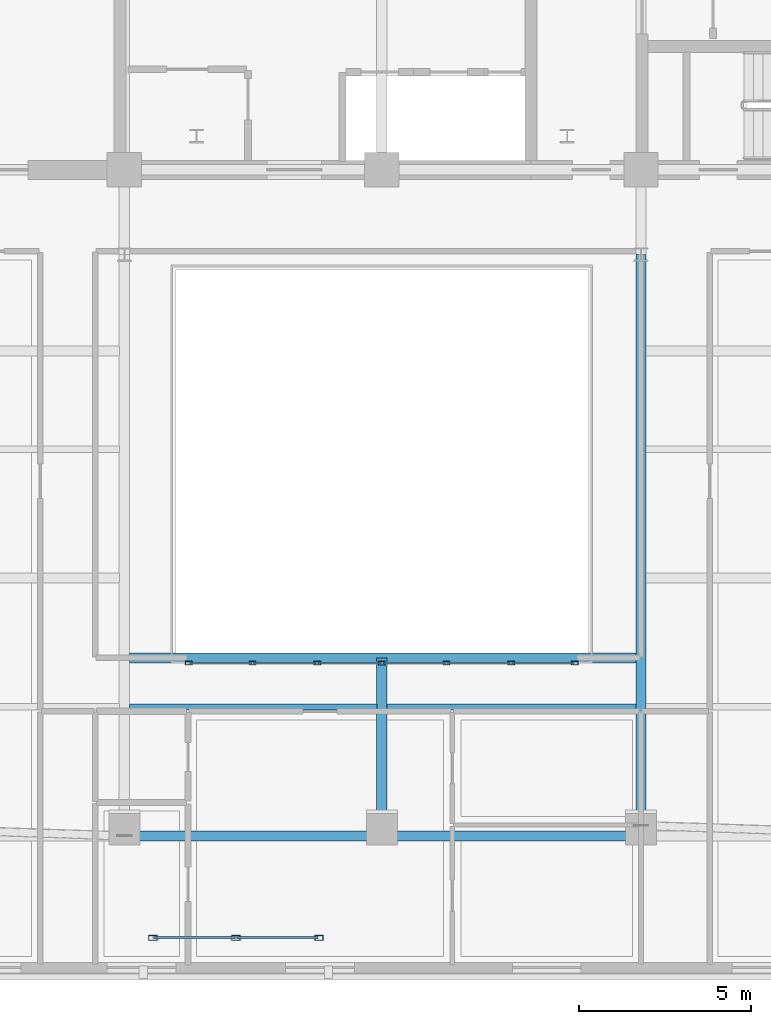
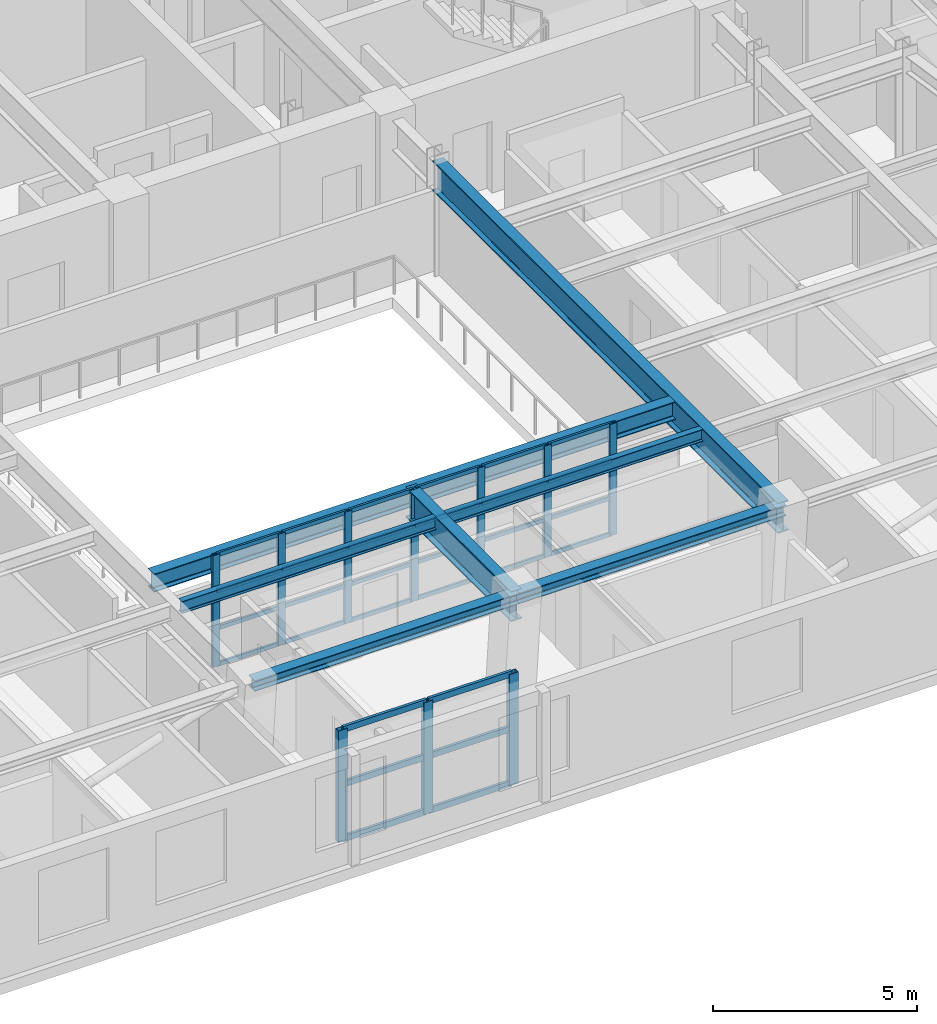
# One storey, part 2 of 14: 40 members, 7 beams, 2 elements without a shape of their own.
"""IFC4 building model written with IfcOpenShell, lengths in metres."""

from ifc_helpers import new_model, si_unit, direction, frame, origin, origin_2d, place, context, subcontext, project, spatial, hollow_rectangle, i_section, extrude, material, layer, layer_set, material_profile, profile_set, type_object, element, aggregate, save


model = new_model("IFC4")

# Units and contexts
model_context = context("Model", 3, precision=1e-05, world=origin(), true_north=direction((0.0, 1.0)))
body_context = subcontext(model_context, "Body", "Model", "MODEL_VIEW")
ifc_project = project(units=[si_unit("LENGTHUNIT", "METRE"), si_unit("AREAUNIT", "SQUARE_METRE"), si_unit("VOLUMEUNIT", "CUBIC_METRE"), si_unit("PLANEANGLEUNIT", "RADIAN"), si_unit("MASSUNIT", "GRAM", prefix="KILO")], contexts=[model_context])

# Site, building, storey
site_placement = place(None, origin())
site = spatial("IfcSite", under=ifc_project, at=site_placement, CompositionType="ELEMENT")
building_placement = place(site_placement, origin())
building = spatial("IfcBuilding", under=site, at=building_placement, Name="Zarnavel Station Tower", CompositionType="ELEMENT")
storey_placement = place(building_placement, frame((0.0, 0.0, 193.199951171875)))
storey = spatial("IfcBuildingStorey", under=building, at=storey_placement, Name="L52", CompositionType="ELEMENT", Elevation=193.199951171875)

# Curtain wall, members
ifc_material_1 = material(Name="Aluminium Dark Anodised and Solar-Control Glass", Category="aluminium")
ifc_layer_1 = layer(ifc_material_1, 0.179931640625)
ifc_layer_set_1 = layer_set([ifc_layer_1], Name="CWS5")
curtain_wall_type_1 = type_object("IfcCurtainWallType", Name="CWS5", PredefinedType="NOTDEFINED", material=ifc_layer_set_1)
curtain_wall_1_placement = place(storey_placement, origin())
curtain_wall_1 = element("IfcCurtainWall", 1, at=curtain_wall_1_placement, inside=storey, type_object=curtain_wall_type_1, Name="L52 Curtain Wall CWS5-L52-AS", PredefinedType="NOTDEFINED")
ifc_material_2 = material(Name="Steel S355J2 (Black Fluoropolymer Coated)", Category="steel")
ifc_material_profile_1 = material_profile(ifc_material_2, hollow_rectangle(XDim=0.10009765625, YDim=0.199951171875, WallThickness=0.008056640625, at=origin_2d()), Name="RHS200x100x8")
ifc_profile_set_1 = profile_set([ifc_material_profile_1], Name="Steel S355J2 (Black Fluoropolymer Coated)")
member_type_1 = type_object("IfcMemberType", Name="CWS5_MUL", PredefinedType="MULLION", material=ifc_profile_set_1)
member_1_placement = place(storey_placement, frame((23.179931640625, 13.449951171875, 0.0), z_axis=(0.0, 0.0, 1.0), x_axis=(0.0, 1.0, 0.0)))
member_1 = element("IfcMember", 2, at=member_1_placement, type_object=member_type_1, Name="CW5 mullion 1", PredefinedType="MULLION", context=body_context, shape_type="SweptSolid", body=[
    extrude(hollow_rectangle(XDim=0.10009765625, YDim=0.199951171875, WallThickness=0.008056640625, at=origin_2d()), origin(), (0.0, 0.0, 1.0), 3.340087890625),
])
member_2_placement = place(storey_placement, frame((25.033447265625, 13.449951171875, 0.0), z_axis=(0.0, 0.0, 1.0), x_axis=(0.0, 1.0, 0.0)))
member_2 = element("IfcMember", 3, at=member_2_placement, type_object=member_type_1, Name="CW5 mullion 2", PredefinedType="MULLION", context=body_context, shape_type="SweptSolid", body=[
    extrude(hollow_rectangle(XDim=0.10009765625, YDim=0.199951171875, WallThickness=0.008056640625, at=origin_2d()), origin(), (0.0, 0.0, 1.0), 3.340087890625),
])
member_3_placement = place(storey_placement, frame((26.916748046875, 13.449951171875, 0.0), z_axis=(0.0, 0.0, 1.0), x_axis=(0.0, 1.0, 0.0)))
member_3 = element("IfcMember", 4, at=member_3_placement, type_object=member_type_1, Name="CW5 mullion 3", PredefinedType="MULLION", context=body_context, shape_type="SweptSolid", body=[
    extrude(hollow_rectangle(XDim=0.10009765625, YDim=0.199951171875, WallThickness=0.008056640625, at=origin_2d()), origin(), (0.0, 0.0, 1.0), 3.340087890625),
])
member_4_placement = place(storey_placement, frame((28.800048828125, 13.449951171875, 0.0), z_axis=(0.0, 0.0, 1.0), x_axis=(0.0, 1.0, 0.0)))
member_4 = element("IfcMember", 5, at=member_4_placement, type_object=member_type_1, Name="CW5 mullion 4", PredefinedType="MULLION", context=body_context, shape_type="SweptSolid", body=[
    extrude(hollow_rectangle(XDim=0.10009765625, YDim=0.199951171875, WallThickness=0.008056640625, at=origin_2d()), origin(), (0.0, 0.0, 1.0), 3.340087890625),
])
member_5_placement = place(storey_placement, frame((30.683349609375, 13.449951171875, 0.0), z_axis=(0.0, 0.0, 1.0), x_axis=(0.0, 1.0, 0.0)))
member_5 = element("IfcMember", 6, at=member_5_placement, type_object=member_type_1, Name="CW5 mullion 5", PredefinedType="MULLION", context=body_context, shape_type="SweptSolid", body=[
    extrude(hollow_rectangle(XDim=0.10009765625, YDim=0.199951171875, WallThickness=0.008056640625, at=origin_2d()), origin(), (0.0, 0.0, 1.0), 3.340087890625),
])
member_6_placement = place(storey_placement, frame((32.566650390625, 13.449951171875, 0.0), z_axis=(0.0, 0.0, 1.0), x_axis=(0.0, 1.0, 0.0)))
member_6 = element("IfcMember", 7, at=member_6_placement, type_object=member_type_1, Name="CW5 mullion 6", PredefinedType="MULLION", context=body_context, shape_type="SweptSolid", body=[
    extrude(hollow_rectangle(XDim=0.10009765625, YDim=0.199951171875, WallThickness=0.008056640625, at=origin_2d()), origin(), (0.0, 0.0, 1.0), 3.340087890625),
])
member_7_placement = place(storey_placement, frame((34.419921875, 13.449951171875, 0.0), z_axis=(0.0, 0.0, 1.0), x_axis=(0.0, 1.0, 0.0)))
member_7 = element("IfcMember", 8, at=member_7_placement, type_object=member_type_1, Name="CW5 mullion 7", PredefinedType="MULLION", context=body_context, shape_type="SweptSolid", body=[
    extrude(hollow_rectangle(XDim=0.10009765625, YDim=0.199951171875, WallThickness=0.008056640625, at=origin_2d()), origin(), (0.0, 0.0, 1.0), 3.340087890625),
])
ifc_material_3 = material(Name="Steel S355J2 (Black Fluoropolymer Coated)", Category="steel")
ifc_material_profile_2 = material_profile(ifc_material_3, hollow_rectangle(XDim=0.06005859375, YDim=0.1201171875, WallThickness=0.0048828125, at=origin_2d()), Name="RHS120x60x5")
ifc_profile_set_2 = profile_set([ifc_material_profile_2], Name="Steel S355J2 (Black Fluoropolymer Coated)")
member_type_2 = type_object("IfcMemberType", Name="CWS5_TRN", PredefinedType="USERDEFINED", material=ifc_profile_set_2)
member_8_placement = place(storey_placement, frame((23.2099609375, 13.449951171875, 0.030029296875), z_axis=(1.0, 0.0, 0.0), x_axis=(0.0, 1.0, 0.0)))
member_8 = element("IfcMember", 9, at=member_8_placement, type_object=member_type_2, Name="CW5 transom 1.1", ObjectType="TRANSOM", PredefinedType="USERDEFINED", context=body_context, shape_type="SweptSolid", body=[
    extrude(hollow_rectangle(XDim=0.06005859375, YDim=0.1201171875, WallThickness=0.0048828125, at=origin_2d()), origin(), (0.0, 0.0, 1.0), 1.79345703125),
])
member_9_placement = place(storey_placement, frame((23.2099609375, 13.449951171875, 1.11328125), z_axis=(1.0, 0.0, 0.0), x_axis=(0.0, 1.0, 0.0)))
member_9 = element("IfcMember", 10, at=member_9_placement, type_object=member_type_2, Name="CW5 transom 1.2", ObjectType="TRANSOM", PredefinedType="USERDEFINED", context=body_context, shape_type="SweptSolid", body=[
    extrude(hollow_rectangle(XDim=0.06005859375, YDim=0.1201171875, WallThickness=0.0048828125, at=origin_2d()), origin(), (0.0, 0.0, 1.0), 1.79345703125),
])
member_10_placement = place(storey_placement, frame((23.2099609375, 13.449951171875, 2.226806640625), z_axis=(1.0, 0.0, 0.0), x_axis=(0.0, 1.0, 0.0)))
member_10 = element("IfcMember", 11, at=member_10_placement, type_object=member_type_2, Name="CW5 transom 1.3", ObjectType="TRANSOM", PredefinedType="USERDEFINED", context=body_context, shape_type="SweptSolid", body=[
    extrude(hollow_rectangle(XDim=0.06005859375, YDim=0.1201171875, WallThickness=0.0048828125, at=origin_2d()), origin(), (0.0, 0.0, 1.0), 1.79345703125),
])
member_11_placement = place(storey_placement, frame((23.2099609375, 13.449951171875, 3.31005859375), z_axis=(1.0, 0.0, 0.0), x_axis=(0.0, 1.0, 0.0)))
member_11 = element("IfcMember", 12, at=member_11_placement, type_object=member_type_2, Name="CW5 transom 1.4", ObjectType="TRANSOM", PredefinedType="USERDEFINED", context=body_context, shape_type="SweptSolid", body=[
    extrude(hollow_rectangle(XDim=0.06005859375, YDim=0.1201171875, WallThickness=0.0048828125, at=origin_2d()), origin(), (0.0, 0.0, 1.0), 1.79345703125),
])
member_12_placement = place(storey_placement, frame((25.063232421875, 13.449951171875, 0.030029296875), z_axis=(1.0, 0.0, 0.0), x_axis=(0.0, 1.0, 0.0)))
member_12 = element("IfcMember", 13, at=member_12_placement, type_object=member_type_2, Name="CW5 transom 2.1", ObjectType="TRANSOM", PredefinedType="USERDEFINED", context=body_context, shape_type="SweptSolid", body=[
    extrude(hollow_rectangle(XDim=0.06005859375, YDim=0.1201171875, WallThickness=0.0048828125, at=origin_2d()), origin(), (0.0, 0.0, 1.0), 1.823486328125),
])
member_13_placement = place(storey_placement, frame((25.063232421875, 13.449951171875, 1.11328125), z_axis=(1.0, 0.0, 0.0), x_axis=(0.0, 1.0, 0.0)))
member_13 = element("IfcMember", 14, at=member_13_placement, type_object=member_type_2, Name="CW5 transom 2.2", ObjectType="TRANSOM", PredefinedType="USERDEFINED", context=body_context, shape_type="SweptSolid", body=[
    extrude(hollow_rectangle(XDim=0.06005859375, YDim=0.1201171875, WallThickness=0.0048828125, at=origin_2d()), origin(), (0.0, 0.0, 1.0), 1.823486328125),
])
member_14_placement = place(storey_placement, frame((25.063232421875, 13.449951171875, 2.226806640625), z_axis=(1.0, 0.0, 0.0), x_axis=(0.0, 1.0, 0.0)))
member_14 = element("IfcMember", 15, at=member_14_placement, type_object=member_type_2, Name="CW5 transom 2.3", ObjectType="TRANSOM", PredefinedType="USERDEFINED", context=body_context, shape_type="SweptSolid", body=[
    extrude(hollow_rectangle(XDim=0.06005859375, YDim=0.1201171875, WallThickness=0.0048828125, at=origin_2d()), origin(), (0.0, 0.0, 1.0), 1.823486328125),
])
member_15_placement = place(storey_placement, frame((25.063232421875, 13.449951171875, 3.31005859375), z_axis=(1.0, 0.0, 0.0), x_axis=(0.0, 1.0, 0.0)))
member_15 = element("IfcMember", 16, at=member_15_placement, type_object=member_type_2, Name="CW5 transom 2.4", ObjectType="TRANSOM", PredefinedType="USERDEFINED", context=body_context, shape_type="SweptSolid", body=[
    extrude(hollow_rectangle(XDim=0.06005859375, YDim=0.1201171875, WallThickness=0.0048828125, at=origin_2d()), origin(), (0.0, 0.0, 1.0), 1.823486328125),
])
member_16_placement = place(storey_placement, frame((26.94677734375, 13.449951171875, 0.030029296875), z_axis=(1.0, 0.0, 0.0), x_axis=(0.0, 1.0, 0.0)))
member_16 = element("IfcMember", 17, at=member_16_placement, type_object=member_type_2, Name="CW5 transom 3.1", ObjectType="TRANSOM", PredefinedType="USERDEFINED", context=body_context, shape_type="SweptSolid", body=[
    extrude(hollow_rectangle(XDim=0.06005859375, YDim=0.1201171875, WallThickness=0.0048828125, at=origin_2d()), origin(), (0.0, 0.0, 1.0), 1.8232421875),
])
member_17_placement = place(storey_placement, frame((26.94677734375, 13.449951171875, 1.11328125), z_axis=(1.0, 0.0, 0.0), x_axis=(0.0, 1.0, 0.0)))
member_17 = element("IfcMember", 18, at=member_17_placement, type_object=member_type_2, Name="CW5 transom 3.2", ObjectType="TRANSOM", PredefinedType="USERDEFINED", context=body_context, shape_type="SweptSolid", body=[
    extrude(hollow_rectangle(XDim=0.06005859375, YDim=0.1201171875, WallThickness=0.0048828125, at=origin_2d()), origin(), (0.0, 0.0, 1.0), 1.8232421875),
])
member_18_placement = place(storey_placement, frame((26.94677734375, 13.449951171875, 2.226806640625), z_axis=(1.0, 0.0, 0.0), x_axis=(0.0, 1.0, 0.0)))
member_18 = element("IfcMember", 19, at=member_18_placement, type_object=member_type_2, Name="CW5 transom 3.3", ObjectType="TRANSOM", PredefinedType="USERDEFINED", context=body_context, shape_type="SweptSolid", body=[
    extrude(hollow_rectangle(XDim=0.06005859375, YDim=0.1201171875, WallThickness=0.0048828125, at=origin_2d()), origin(), (0.0, 0.0, 1.0), 1.8232421875),
])
member_19_placement = place(storey_placement, frame((26.94677734375, 13.449951171875, 3.31005859375), z_axis=(1.0, 0.0, 0.0), x_axis=(0.0, 1.0, 0.0)))
member_19 = element("IfcMember", 20, at=member_19_placement, type_object=member_type_2, Name="CW5 transom 3.4", ObjectType="TRANSOM", PredefinedType="USERDEFINED", context=body_context, shape_type="SweptSolid", body=[
    extrude(hollow_rectangle(XDim=0.06005859375, YDim=0.1201171875, WallThickness=0.0048828125, at=origin_2d()), origin(), (0.0, 0.0, 1.0), 1.8232421875),
])
member_20_placement = place(storey_placement, frame((28.830078125, 13.449951171875, 0.030029296875), z_axis=(1.0, 0.0, 0.0), x_axis=(0.0, 1.0, 0.0)))
member_20 = element("IfcMember", 21, at=member_20_placement, type_object=member_type_2, Name="CW5 transom 4.1", ObjectType="TRANSOM", PredefinedType="USERDEFINED", context=body_context, shape_type="SweptSolid", body=[
    extrude(hollow_rectangle(XDim=0.06005859375, YDim=0.1201171875, WallThickness=0.0048828125, at=origin_2d()), origin(), (0.0, 0.0, 1.0), 1.8232421875),
])
member_21_placement = place(storey_placement, frame((28.830078125, 13.449951171875, 1.11328125), z_axis=(1.0, 0.0, 0.0), x_axis=(0.0, 1.0, 0.0)))
member_21 = element("IfcMember", 22, at=member_21_placement, type_object=member_type_2, Name="CW5 transom 4.2", ObjectType="TRANSOM", PredefinedType="USERDEFINED", context=body_context, shape_type="SweptSolid", body=[
    extrude(hollow_rectangle(XDim=0.06005859375, YDim=0.1201171875, WallThickness=0.0048828125, at=origin_2d()), origin(), (0.0, 0.0, 1.0), 1.8232421875),
])
member_22_placement = place(storey_placement, frame((28.830078125, 13.449951171875, 2.226806640625), z_axis=(1.0, 0.0, 0.0), x_axis=(0.0, 1.0, 0.0)))
member_22 = element("IfcMember", 23, at=member_22_placement, type_object=member_type_2, Name="CW5 transom 4.3", ObjectType="TRANSOM", PredefinedType="USERDEFINED", context=body_context, shape_type="SweptSolid", body=[
    extrude(hollow_rectangle(XDim=0.06005859375, YDim=0.1201171875, WallThickness=0.0048828125, at=origin_2d()), origin(), (0.0, 0.0, 1.0), 1.8232421875),
])
member_23_placement = place(storey_placement, frame((28.830078125, 13.449951171875, 3.31005859375), z_axis=(1.0, 0.0, 0.0), x_axis=(0.0, 1.0, 0.0)))
member_23 = element("IfcMember", 24, at=member_23_placement, type_object=member_type_2, Name="CW5 transom 4.4", ObjectType="TRANSOM", PredefinedType="USERDEFINED", context=body_context, shape_type="SweptSolid", body=[
    extrude(hollow_rectangle(XDim=0.06005859375, YDim=0.1201171875, WallThickness=0.0048828125, at=origin_2d()), origin(), (0.0, 0.0, 1.0), 1.8232421875),
])
member_24_placement = place(storey_placement, frame((30.71337890625, 13.449951171875, 0.030029296875), z_axis=(1.0, 0.0, 0.0), x_axis=(0.0, 1.0, 0.0)))
member_24 = element("IfcMember", 25, at=member_24_placement, type_object=member_type_2, Name="CW5 transom 5.1", ObjectType="TRANSOM", PredefinedType="USERDEFINED", context=body_context, shape_type="SweptSolid", body=[
    extrude(hollow_rectangle(XDim=0.06005859375, YDim=0.1201171875, WallThickness=0.0048828125, at=origin_2d()), origin(), (0.0, 0.0, 1.0), 1.8232421875),
])
member_25_placement = place(storey_placement, frame((30.71337890625, 13.449951171875, 1.11328125), z_axis=(1.0, 0.0, 0.0), x_axis=(0.0, 1.0, 0.0)))
member_25 = element("IfcMember", 26, at=member_25_placement, type_object=member_type_2, Name="CW5 transom 5.2", ObjectType="TRANSOM", PredefinedType="USERDEFINED", context=body_context, shape_type="SweptSolid", body=[
    extrude(hollow_rectangle(XDim=0.06005859375, YDim=0.1201171875, WallThickness=0.0048828125, at=origin_2d()), origin(), (0.0, 0.0, 1.0), 1.8232421875),
])
member_26_placement = place(storey_placement, frame((30.71337890625, 13.449951171875, 2.226806640625), z_axis=(1.0, 0.0, 0.0), x_axis=(0.0, 1.0, 0.0)))
member_26 = element("IfcMember", 27, at=member_26_placement, type_object=member_type_2, Name="CW5 transom 5.3", ObjectType="TRANSOM", PredefinedType="USERDEFINED", context=body_context, shape_type="SweptSolid", body=[
    extrude(hollow_rectangle(XDim=0.06005859375, YDim=0.1201171875, WallThickness=0.0048828125, at=origin_2d()), origin(), (0.0, 0.0, 1.0), 1.8232421875),
])
member_27_placement = place(storey_placement, frame((30.71337890625, 13.449951171875, 3.31005859375), z_axis=(1.0, 0.0, 0.0), x_axis=(0.0, 1.0, 0.0)))
member_27 = element("IfcMember", 28, at=member_27_placement, type_object=member_type_2, Name="CW5 transom 5.4", ObjectType="TRANSOM", PredefinedType="USERDEFINED", context=body_context, shape_type="SweptSolid", body=[
    extrude(hollow_rectangle(XDim=0.06005859375, YDim=0.1201171875, WallThickness=0.0048828125, at=origin_2d()), origin(), (0.0, 0.0, 1.0), 1.8232421875),
])
member_28_placement = place(storey_placement, frame((32.5966796875, 13.449951171875, 0.030029296875), z_axis=(1.0, 0.0, 0.0), x_axis=(0.0, 1.0, 0.0)))
member_28 = element("IfcMember", 29, at=member_28_placement, type_object=member_type_2, Name="CW5 transom 6.1", ObjectType="TRANSOM", PredefinedType="USERDEFINED", context=body_context, shape_type="SweptSolid", body=[
    extrude(hollow_rectangle(XDim=0.06005859375, YDim=0.1201171875, WallThickness=0.0048828125, at=origin_2d()), origin(), (0.0, 0.0, 1.0), 1.793212890625),
])
member_29_placement = place(storey_placement, frame((32.5966796875, 13.449951171875, 1.11328125), z_axis=(1.0, 0.0, 0.0), x_axis=(0.0, 1.0, 0.0)))
member_29 = element("IfcMember", 30, at=member_29_placement, type_object=member_type_2, Name="CW5 transom 6.2", ObjectType="TRANSOM", PredefinedType="USERDEFINED", context=body_context, shape_type="SweptSolid", body=[
    extrude(hollow_rectangle(XDim=0.06005859375, YDim=0.1201171875, WallThickness=0.0048828125, at=origin_2d()), origin(), (0.0, 0.0, 1.0), 1.793212890625),
])
member_30_placement = place(storey_placement, frame((32.5966796875, 13.449951171875, 2.226806640625), z_axis=(1.0, 0.0, 0.0), x_axis=(0.0, 1.0, 0.0)))
member_30 = element("IfcMember", 31, at=member_30_placement, type_object=member_type_2, Name="CW5 transom 6.3", ObjectType="TRANSOM", PredefinedType="USERDEFINED", context=body_context, shape_type="SweptSolid", body=[
    extrude(hollow_rectangle(XDim=0.06005859375, YDim=0.1201171875, WallThickness=0.0048828125, at=origin_2d()), origin(), (0.0, 0.0, 1.0), 1.793212890625),
])
member_31_placement = place(storey_placement, frame((32.5966796875, 13.449951171875, 3.31005859375), z_axis=(1.0, 0.0, 0.0), x_axis=(0.0, 1.0, 0.0)))
member_31 = element("IfcMember", 32, at=member_31_placement, type_object=member_type_2, Name="CW5 transom 6.4", ObjectType="TRANSOM", PredefinedType="USERDEFINED", context=body_context, shape_type="SweptSolid", body=[
    extrude(hollow_rectangle(XDim=0.06005859375, YDim=0.1201171875, WallThickness=0.0048828125, at=origin_2d()), origin(), (0.0, 0.0, 1.0), 1.793212890625),
])
aggregate(curtain_wall_1, [member_1, member_2, member_3, member_4, member_5, member_6, member_7, member_8, member_9, member_10, member_11, member_12, member_13, member_14, member_15, member_16, member_17, member_18, member_19, member_20, member_21, member_22, member_23, member_24, member_25, member_26, member_27, member_28, member_29, member_30, member_31])

ifc_material_4 = material(Name="Aluminium Dark Anodised and Solar-Control Glass", Category="aluminium")
ifc_layer_2 = layer(ifc_material_4, 0.179931640625)
ifc_layer_set_2 = layer_set([ifc_layer_2], Name="CWS6")
curtain_wall_type_2 = type_object("IfcCurtainWallType", Name="CWS6", PredefinedType="NOTDEFINED", material=ifc_layer_set_2)
curtain_wall_2_placement = place(storey_placement, origin())
curtain_wall_2 = element("IfcCurtainWall", 33, at=curtain_wall_2_placement, inside=storey, type_object=curtain_wall_type_2, Name="L52 Curtain Wall CWS6-LOG-L52", PredefinedType="NOTDEFINED")
ifc_material_5 = material(Name="Steel S355J2 (Black Fluoropolymer Coated)", Category="steel")
ifc_material_profile_3 = material_profile(ifc_material_5, hollow_rectangle(XDim=0.14990234375, YDim=0.25, WallThickness=0.010009765625, at=origin_2d()), Name="RHS250x150x10")
ifc_profile_set_3 = profile_set([ifc_material_profile_3], Name="Steel S355J2 (Black Fluoropolymer Coated)")
member_type_3 = type_object("IfcMemberType", Name="CWS6_MUL", PredefinedType="MULLION", material=ifc_profile_set_3)
member_32_placement = place(storey_placement, frame((22.1298828125, 5.449951171875, 0.0), z_axis=(0.0, 0.0, 1.0), x_axis=(0.0, 1.0, 0.0)))
member_32 = element("IfcMember", 34, at=member_32_placement, type_object=member_type_3, Name="CW6 mullion 1", PredefinedType="MULLION", context=body_context, shape_type="SweptSolid", body=[
    extrude(hollow_rectangle(XDim=0.14990234375, YDim=0.25, WallThickness=0.010009765625, at=origin_2d()), origin(), (0.0, 0.0, 1.0), 3.340087890625),
])
member_33_placement = place(storey_placement, frame((24.550048828125, 5.449951171875, 0.0), z_axis=(0.0, 0.0, 1.0), x_axis=(0.0, 1.0, 0.0)))
member_33 = element("IfcMember", 35, at=member_33_placement, type_object=member_type_3, Name="CW6 mullion 2", PredefinedType="MULLION", context=body_context, shape_type="SweptSolid", body=[
    extrude(hollow_rectangle(XDim=0.14990234375, YDim=0.25, WallThickness=0.010009765625, at=origin_2d()), origin(), (0.0, 0.0, 1.0), 3.340087890625),
])
member_34_placement = place(storey_placement, frame((26.969970703125, 5.449951171875, 0.0), z_axis=(0.0, 0.0, 1.0), x_axis=(0.0, 1.0, 0.0)))
member_34 = element("IfcMember", 36, at=member_34_placement, type_object=member_type_3, Name="CW6 mullion 3", PredefinedType="MULLION", context=body_context, shape_type="SweptSolid", body=[
    extrude(hollow_rectangle(XDim=0.14990234375, YDim=0.25, WallThickness=0.010009765625, at=origin_2d()), origin(), (0.0, 0.0, 1.0), 3.340087890625),
])
ifc_material_6 = material(Name="Steel S355J2 (Black Fluoropolymer Coated)", Category="steel")
ifc_material_profile_4 = material_profile(ifc_material_6, hollow_rectangle(XDim=0.080078125, YDim=0.179931640625, WallThickness=0.00634765625, at=origin_2d()), Name="RHS180x80x6.3")
ifc_profile_set_4 = profile_set([ifc_material_profile_4], Name="Steel S355J2 (Black Fluoropolymer Coated)")
member_type_4 = type_object("IfcMemberType", Name="CWS6_TRN", PredefinedType="USERDEFINED", material=ifc_profile_set_4)
member_35_placement = place(storey_placement, frame((22.159912109375, 5.449951171875, 0.030029296875), z_axis=(1.0, 0.0, 0.0), x_axis=(0.0, 1.0, 0.0)))
member_35 = element("IfcMember", 37, at=member_35_placement, type_object=member_type_4, Name="CW6 transom 1.1", ObjectType="TRANSOM", PredefinedType="USERDEFINED", context=body_context, shape_type="SweptSolid", body=[
    extrude(hollow_rectangle(XDim=0.080078125, YDim=0.179931640625, WallThickness=0.00634765625, at=origin_2d()), origin(), (0.0, 0.0, 1.0), 2.360107421875),
])
member_36_placement = place(storey_placement, frame((22.159912109375, 5.449951171875, 1.670166015625), z_axis=(1.0, 0.0, 0.0), x_axis=(0.0, 1.0, 0.0)))
member_36 = element("IfcMember", 38, at=member_36_placement, type_object=member_type_4, Name="CW6 transom 1.2", ObjectType="TRANSOM", PredefinedType="USERDEFINED", context=body_context, shape_type="SweptSolid", body=[
    extrude(hollow_rectangle(XDim=0.080078125, YDim=0.179931640625, WallThickness=0.00634765625, at=origin_2d()), origin(), (0.0, 0.0, 1.0), 2.360107421875),
])
member_37_placement = place(storey_placement, frame((22.159912109375, 5.449951171875, 3.31005859375), z_axis=(1.0, 0.0, 0.0), x_axis=(0.0, 1.0, 0.0)))
member_37 = element("IfcMember", 39, at=member_37_placement, type_object=member_type_4, Name="CW6 transom 1.3", ObjectType="TRANSOM", PredefinedType="USERDEFINED", context=body_context, shape_type="SweptSolid", body=[
    extrude(hollow_rectangle(XDim=0.080078125, YDim=0.179931640625, WallThickness=0.00634765625, at=origin_2d()), origin(), (0.0, 0.0, 1.0), 2.360107421875),
])
member_38_placement = place(storey_placement, frame((24.580078125, 5.449951171875, 0.030029296875), z_axis=(1.0, 0.0, 0.0), x_axis=(0.0, 1.0, 0.0)))
member_38 = element("IfcMember", 40, at=member_38_placement, type_object=member_type_4, Name="CW6 transom 2.1", ObjectType="TRANSOM", PredefinedType="USERDEFINED", context=body_context, shape_type="SweptSolid", body=[
    extrude(hollow_rectangle(XDim=0.080078125, YDim=0.179931640625, WallThickness=0.00634765625, at=origin_2d()), origin(), (0.0, 0.0, 1.0), 2.35986328125),
])
member_39_placement = place(storey_placement, frame((24.580078125, 5.449951171875, 1.670166015625), z_axis=(1.0, 0.0, 0.0), x_axis=(0.0, 1.0, 0.0)))
member_39 = element("IfcMember", 41, at=member_39_placement, type_object=member_type_4, Name="CW6 transom 2.2", ObjectType="TRANSOM", PredefinedType="USERDEFINED", context=body_context, shape_type="SweptSolid", body=[
    extrude(hollow_rectangle(XDim=0.080078125, YDim=0.179931640625, WallThickness=0.00634765625, at=origin_2d()), origin(), (0.0, 0.0, 1.0), 2.35986328125),
])
member_40_placement = place(storey_placement, frame((24.580078125, 5.449951171875, 3.31005859375), z_axis=(1.0, 0.0, 0.0), x_axis=(0.0, 1.0, 0.0)))
member_40 = element("IfcMember", 42, at=member_40_placement, type_object=member_type_4, Name="CW6 transom 2.3", ObjectType="TRANSOM", PredefinedType="USERDEFINED", context=body_context, shape_type="SweptSolid", body=[
    extrude(hollow_rectangle(XDim=0.080078125, YDim=0.179931640625, WallThickness=0.00634765625, at=origin_2d()), origin(), (0.0, 0.0, 1.0), 2.35986328125),
])
aggregate(curtain_wall_2, [member_32, member_33, member_34, member_35, member_36, member_37, member_38, member_39, member_40])

# Beams
ifc_material_7 = material(Name="Steel S355J2", Category="steel")
ifc_material_profile_5 = material_profile(ifc_material_7, i_section(OverallWidth=0.300048828125, OverallDepth=0.320068359375, WebThickness=0.011474609375, FlangeThickness=0.0205078125, FilletRadius=0.027099609375, at=origin_2d()), Name="HEB320")
ifc_profile_set_5 = profile_set([ifc_material_profile_5], Name="Steel S355J2")
beam_type_1 = type_object("IfcBeamType", Name="EB_HEB320", PredefinedType="SPANDREL", material=ifc_profile_set_5)
beam_1_placement = place(storey_placement, frame((21.300048828125, 8.41748046875, 3.179931640625), z_axis=(1.0, 0.0, 0.0), x_axis=(0.0, 1.0, 0.0)))
element("IfcBeam", 43, at=beam_1_placement, inside=storey, type_object=beam_type_1, Name="L52 South Raked Spandrel 2", PredefinedType="SPANDREL", context=body_context, shape_type="SweptSolid", body=[
    extrude(i_section(OverallWidth=0.300048828125, OverallDepth=0.320068359375, WebThickness=0.011474609375, FlangeThickness=0.0205078125, FilletRadius=0.027099609375, at=origin_2d()), origin(), (0.0, 0.0, 1.0), 7.5),
])
beam_2_placement = place(storey_placement, frame((28.800048828125, 8.41748046875, 3.179931640625), z_axis=(1.0, 0.0, 0.0), x_axis=(0.0, 1.0, 0.0)))
element("IfcBeam", 44, at=beam_2_placement, inside=storey, type_object=beam_type_1, Name="L52 South Raked Spandrel 3", PredefinedType="SPANDREL", context=body_context, shape_type="SweptSolid", body=[
    extrude(i_section(OverallWidth=0.300048828125, OverallDepth=0.320068359375, WebThickness=0.011474609375, FlangeThickness=0.0205078125, FilletRadius=0.027099609375, at=origin_2d()), origin(), (0.0, 0.0, 1.0), 7.550048828125),
])
ifc_material_8 = material(Name="Steel S355J2", Category="steel")
ifc_material_profile_6 = material_profile(ifc_material_8, i_section(OverallWidth=0.300048828125, OverallDepth=0.5400390625, WebThickness=0.012451171875, FlangeThickness=0.02392578125, FilletRadius=0.027099609375, at=origin_2d()), Name="HEA550")
ifc_profile_set_6 = profile_set([ifc_material_profile_6], Name="Steel S355J2")
beam_type_2 = type_object("IfcBeamType", Name="FB_HEA550", PredefinedType="BEAM", material=ifc_profile_set_6)
beam_3_placement = place(storey_placement, frame((21.445068359375, 13.60009765625, 3.070068359375), z_axis=(1.0, 0.0, 0.0), x_axis=(0.0, 1.0, 0.0)))
element("IfcBeam", 45, at=beam_3_placement, inside=storey, type_object=beam_type_2, Name="L52 Atrium South Edge Girder", PredefinedType="BEAM", context=body_context, shape_type="SweptSolid", body=[
    extrude(i_section(OverallWidth=0.300048828125, OverallDepth=0.5400390625, WebThickness=0.012451171875, FlangeThickness=0.02392578125, FilletRadius=0.027099609375, at=origin_2d()), origin(), (0.0, 0.0, 1.0), 14.760009765625),
])
ifc_material_9 = material(Name="Steel S355J2", Category="steel")
ifc_material_profile_7 = material_profile(ifc_material_9, i_section(OverallWidth=0.300048828125, OverallDepth=0.89990234375, WebThickness=0.0185546875, FlangeThickness=0.034912109375, FilletRadius=0.030029296875, at=origin_2d()), Name="HEB900")
ifc_profile_set_7 = profile_set([ifc_material_profile_7], Name="Steel S355J2")
beam_type_3 = type_object("IfcBeamType", Name="FG_HEB900", PredefinedType="USERDEFINED", material=ifc_profile_set_7)
beam_4_placement = place(storey_placement, frame((28.800048828125, 8.41748046875, 2.89013671875), z_axis=(0.0, 1.0, 0.0), x_axis=(-1.0, 0.0, 0.0)))
element("IfcBeam", 46, at=beam_4_placement, inside=storey, type_object=beam_type_3, Name="L52 Central Atrium-South Girder", ObjectType="GIRDER", PredefinedType="USERDEFINED", context=body_context, shape_type="SweptSolid", body=[
    extrude(i_section(OverallWidth=0.300048828125, OverallDepth=0.89990234375, WebThickness=0.0185546875, FlangeThickness=0.034912109375, FilletRadius=0.030029296875, at=origin_2d()), origin(), (0.0, 0.0, 1.0), 5.1826171875),
])
beam_5_placement = place(storey_placement, frame((36.35009765625, 8.41748046875, 2.89013671875), z_axis=(0.0, 1.0, 0.0), x_axis=(-1.0, 0.0, 0.0)))
element("IfcBeam", 47, at=beam_5_placement, inside=storey, type_object=beam_type_3, Name="L52 South-Zone NS Girder 4", ObjectType="GIRDER", PredefinedType="USERDEFINED", context=body_context, shape_type="SweptSolid", body=[
    extrude(i_section(OverallWidth=0.300048828125, OverallDepth=0.89990234375, WebThickness=0.0185546875, FlangeThickness=0.034912109375, FilletRadius=0.030029296875, at=origin_2d()), origin(), (0.0, 0.0, 1.0), 16.9326171875),
])
ifc_material_10 = material(Name="Steel S355J2", Category="steel")
ifc_material_profile_8 = material_profile(ifc_material_10, i_section(OverallWidth=0.169921875, OverallDepth=0.360107421875, WebThickness=0.008056640625, FlangeThickness=0.0126953125, FilletRadius=0.01806640625, at=origin_2d()), Name="IPE360")
ifc_profile_set_8 = profile_set([ifc_material_profile_8], Name="Steel S355J2")
beam_type_4 = type_object("IfcBeamType", Name="FJ_IPE360", PredefinedType="JOIST", material=ifc_profile_set_8)
beam_6_placement = place(storey_placement, frame((21.445068359375, 12.174072265625, 3.16015625), z_axis=(1.0, 0.0, 0.0), x_axis=(0.0, 1.0, 0.0)))
element("IfcBeam", 48, at=beam_6_placement, inside=storey, type_object=beam_type_4, Name="L52 Mid-West Joist 1", PredefinedType="JOIST", context=body_context, shape_type="SweptSolid", body=[
    extrude(i_section(OverallWidth=0.169921875, OverallDepth=0.360107421875, WebThickness=0.008056640625, FlangeThickness=0.0126953125, FilletRadius=0.01806640625, at=origin_2d()), origin(), (0.0, 0.0, 1.0), 7.2099609375),
])
beam_7_placement = place(storey_placement, frame((28.945068359375, 12.174072265625, 3.16015625), z_axis=(1.0, 0.0, 0.0), x_axis=(0.0, 1.0, 0.0)))
element("IfcBeam", 49, at=beam_7_placement, inside=storey, type_object=beam_type_4, Name="L52 Mid-East Joist 1", PredefinedType="JOIST", context=body_context, shape_type="SweptSolid", body=[
    extrude(i_section(OverallWidth=0.169921875, OverallDepth=0.360107421875, WebThickness=0.008056640625, FlangeThickness=0.0126953125, FilletRadius=0.01806640625, at=origin_2d()), origin(), (0.0, 0.0, 1.0), 7.260009765625),
])

save(model, "model.ifc")
